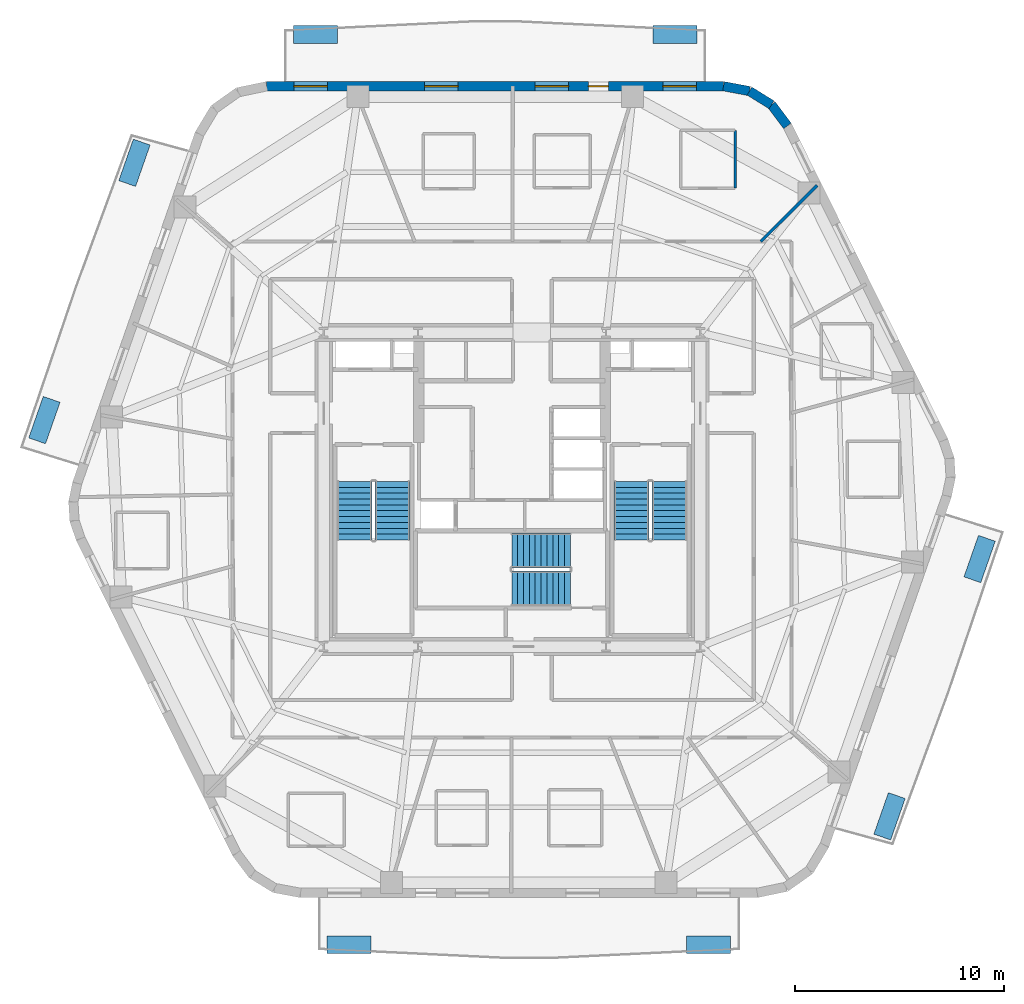
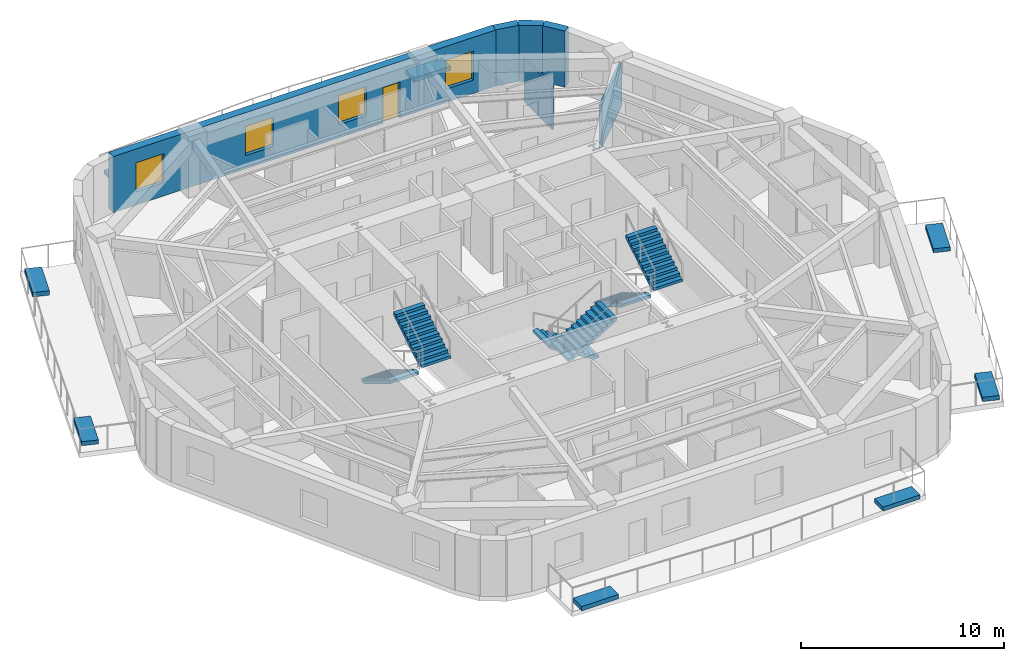
# One storey, part 7 of 11: 8 discrete accessories, 6 stair flights, 6 walls, 4 windows, 1 door, 5 openings, 3 elements without a shape of their own.
"""IFC4 building model written with IfcOpenShell, lengths in metres."""

from ifc_helpers import new_model, si_unit, direction, frame, frame_2d, origin, origin_2d, place, context, subcontext, project, spatial, polyline, rectangle, outline, extrude, material, layer, layer_set, type_object, element, fill, aggregate, save


model = new_model("IFC4")

# Units and contexts
model_context = context("Model", 3, precision=1e-05, world=origin(), true_north=direction((0.0, 1.0)))
body_context = subcontext(model_context, "Body", "Model", "MODEL_VIEW")
ifc_project = project(units=[si_unit("LENGTHUNIT", "METRE"), si_unit("AREAUNIT", "SQUARE_METRE"), si_unit("VOLUMEUNIT", "CUBIC_METRE"), si_unit("PLANEANGLEUNIT", "RADIAN"), si_unit("MASSUNIT", "GRAM", prefix="KILO")], contexts=[model_context])

# Site, building, storey
site_placement = place(None, origin())
site = spatial("IfcSite", under=ifc_project, at=site_placement, CompositionType="ELEMENT")
building_placement = place(site_placement, origin())
building = spatial("IfcBuilding", under=site, at=building_placement, Name="Kilnhurst Terrace Hotel", CompositionType="ELEMENT")
storey_placement = place(building_placement, frame((0.0, 0.0, 166.5)))
storey = spatial("IfcBuildingStorey", under=building, at=storey_placement, Name="L41", CompositionType="ELEMENT", Elevation=166.5)

# Walls
ifc_material_1 = material(Name="Precast concrete C40/50", Category="concrete")
ifc_layer_1 = layer(ifc_material_1, 0.449951171875, Name="Precast concrete C40/50")
ifc_layer_set_1 = layer_set([ifc_layer_1], Name="Precast concrete C40/50")
wall_type_1 = type_object("IfcWallType", Name="WL-BRK-450", PredefinedType="SOLIDWALL", material=ifc_layer_set_1)
wall_1_placement = place(storey_placement, frame((13.162353515625, 17.380615234375, 0.0), z_axis=(0.0, 0.0, 1.0), x_axis=(-0.601515770517, 0.798860925205, 0.0)))
element("IfcWall", 1, at=wall_1_placement, inside=storey, type_object=wall_type_1, Name="L41 Rounded Corner Brick Wall C4.1", PredefinedType="SOLIDWALL", context=body_context, shape_type="SweptSolid", body=[
    extrude(rectangle(XDim=1.261962890625, YDim=0.449951171875, at=frame_2d((0.630859375, 0.0))), origin(), (0.0, 0.0, 1.0), 3.3798828125),
])
wall_2_placement = place(storey_placement, frame((12.4033203125, 18.388671875, 0.0), z_axis=(0.0, 0.0, 1.0), x_axis=(-0.849795170926, 0.527113049991, 0.0)))
element("IfcWall", 2, at=wall_2_placement, inside=storey, type_object=wall_type_1, Name="L41 Rounded Corner Brick Wall C4.2", PredefinedType="SOLIDWALL", context=body_context, shape_type="SweptSolid", body=[
    extrude(rectangle(XDim=1.24072265625, YDim=0.449951171875, at=frame_2d((0.620361328125, 0.0))), origin(), (0.0, 0.0, 1.0), 3.3798828125),
])
wall_3_placement = place(storey_placement, frame((11.348876953125, 19.042724609375, 0.0), z_axis=(0.0, 0.0, 1.0), x_axis=(-0.982931267051, 0.183973161772, 0.0)))
element("IfcWall", 3, at=wall_3_placement, inside=storey, type_object=wall_type_1, Name="L41 Rounded Corner Brick Wall C4.3", PredefinedType="SOLIDWALL", context=body_context, shape_type="SweptSolid", body=[
    extrude(rectangle(XDim=1.261962890625, YDim=0.449951171875, at=frame_2d((0.630859375, 0.0))), origin(), (0.0, 0.0, 1.0), 3.3798828125),
])

# Wall, openings, door, windows
wall_4_placement = place(storey_placement, frame((10.1083984375, 19.27490234375, 0.0), z_axis=(0.0, 0.0, 1.0), x_axis=(-1.0, 0.0, 0.0)))
wall_4 = element("IfcWall", 4, at=wall_4_placement, inside=storey, type_object=wall_type_1, Name="L41 Exterior Brick Facade Wall F4", PredefinedType="SOLIDWALL", context=body_context, shape_type="SweptSolid", body=[
    extrude(rectangle(XDim=21.828857421875, YDim=0.449951171875, at=frame_2d((10.91455078125, 0.0))), origin(), (0.0, 0.0, 1.0), 3.3798828125),
])
opening_1_placement = place(wall_4_placement, frame((5.5029296875, 0.0, 0.0)))
opening_1 = element("IfcOpeningElement", 5, at=opening_1_placement, cuts=wall_4, Name="Opening BD-950", PredefinedType="OPENING", context=body_context, shape_type="SweptSolid", body=[
    extrude(rectangle(XDim=0.949951171875, YDim=2.14990234375, at=frame_2d((0.47509765625, 1.074951171875))), frame((0.0, 0.23486328125, 0.0), z_axis=(0.0, -1.0, 0.0), x_axis=(1.0, 0.0, 0.0)), (0.0, 0.0, 1.0), 0.469970703125),
])
opening_2_placement = place(wall_4_placement, frame((1.297119140625, 0.0, 0.800048828125)))
opening_2 = element("IfcOpeningElement", 6, at=opening_2_placement, cuts=wall_4, Name="Opening W-05", PredefinedType="OPENING", context=body_context, shape_type="SweptSolid", body=[
    extrude(rectangle(XDim=1.60009765625, YDim=1.75, at=frame_2d((0.800048828125, 0.875))), frame((0.0, 0.23486328125, 0.0), z_axis=(0.0, -1.0, 0.0), x_axis=(1.0, 0.0, 0.0)), (0.0, 0.0, 1.0), 0.469970703125),
])
opening_3_placement = place(wall_4_placement, frame((7.402099609375, 0.0, 0.800048828125)))
opening_3 = element("IfcOpeningElement", 7, at=opening_3_placement, cuts=wall_4, Name="Opening W-05", PredefinedType="OPENING", context=body_context, shape_type="SweptSolid", body=[
    extrude(rectangle(XDim=1.60009765625, YDim=1.75, at=frame_2d((0.800048828125, 0.875))), frame((0.0, 0.23486328125, 0.0), z_axis=(0.0, -1.0, 0.0), x_axis=(1.0, 0.0, 0.0)), (0.0, 0.0, 1.0), 0.469970703125),
])
opening_4_placement = place(wall_4_placement, frame((12.68408203125, 0.0, 0.800048828125)))
opening_4 = element("IfcOpeningElement", 8, at=opening_4_placement, cuts=wall_4, Name="Opening W-05", PredefinedType="OPENING", context=body_context, shape_type="SweptSolid", body=[
    extrude(rectangle(XDim=1.60009765625, YDim=1.75, at=frame_2d((0.800048828125, 0.875))), frame((0.0, 0.23486328125, 0.0), z_axis=(0.0, -1.0, 0.0), x_axis=(1.0, 0.0, 0.0)), (0.0, 0.0, 1.0), 0.469970703125),
])
opening_5_placement = place(wall_4_placement, frame((18.93310546875, 0.0, 0.800048828125)))
opening_5 = element("IfcOpeningElement", 9, at=opening_5_placement, cuts=wall_4, Name="Opening W-05", PredefinedType="OPENING", context=body_context, shape_type="SweptSolid", body=[
    extrude(rectangle(XDim=1.60009765625, YDim=1.75, at=frame_2d((0.800048828125, 0.875))), frame((0.0, 0.23486328125, 0.0), z_axis=(0.0, -1.0, 0.0), x_axis=(1.0, 0.0, 0.0)), (0.0, 0.0, 1.0), 0.469970703125),
])
ifc_material_2 = material(Name="Thermally Broken Bronze Aluminium Alloy 6063-T6 and Laminated Glass", Category="aluminium")
door_type = type_object("IfcDoorType", Name="DR-EXT-BAL-950", OperationType="NOTDEFINED", PredefinedType="DOOR", material=ifc_material_2)
door_placement = place(opening_1_placement, origin())
door = element("IfcDoor", 10, at=door_placement, inside=storey, type_object=door_type, Name="L41 Planted Balcony Door BAL-L2A", OperationType="SINGLE_SWING_RIGHT", OverallHeight=2.14990234375, OverallWidth=0.949951171875, PredefinedType="DOOR", context=body_context, shape_type="SweptSolid", body=[
    extrude(rectangle(XDim=0.949951171875, YDim=2.14990234375, at=frame_2d((0.47509765625, 1.074951171875))), frame((0.0, 0.02490234375, 0.0), z_axis=(0.0, -1.0, 0.0), x_axis=(1.0, 0.0, 0.0)), (0.0, 0.0, 1.0), 0.050048828125),
])
fill(opening_1, door)
ifc_material_3 = material(Name="Thermally Broken Bronze Aluminium Alloy 6063-T6 and Low-E Glass", Category="aluminium")
window_type = type_object("IfcWindowType", Name="WIN-1600X1750", PartitioningType="SINGLE_PANEL", PredefinedType="WINDOW", material=ifc_material_3)
window_1_placement = place(opening_2_placement, origin())
window_1 = element("IfcWindow", 11, at=window_1_placement, inside=storey, type_object=window_type, Name="L41 Deep-Set Masonry Window F4.1", OverallHeight=1.75, OverallWidth=1.60009765625, PartitioningType="SINGLE_PANEL", PredefinedType="WINDOW", context=body_context, shape_type="SweptSolid", body=[
    extrude(rectangle(XDim=1.60009765625, YDim=1.75, at=frame_2d((0.800048828125, 0.875))), frame((0.0, 0.030029296875, 0.0), z_axis=(0.0, -1.0, 0.0), x_axis=(1.0, 0.0, 0.0)), (0.0, 0.0, 1.0), 0.06005859375),
])
fill(opening_2, window_1)
window_2_placement = place(opening_3_placement, origin())
window_2 = element("IfcWindow", 12, at=window_2_placement, inside=storey, type_object=window_type, Name="L41 Deep-Set Masonry Window F4.2", OverallHeight=1.75, OverallWidth=1.60009765625, PartitioningType="SINGLE_PANEL", PredefinedType="WINDOW", context=body_context, shape_type="SweptSolid", body=[
    extrude(rectangle(XDim=1.60009765625, YDim=1.75, at=frame_2d((0.800048828125, 0.875))), frame((0.0, 0.030029296875, 0.0), z_axis=(0.0, -1.0, 0.0), x_axis=(1.0, 0.0, 0.0)), (0.0, 0.0, 1.0), 0.06005859375),
])
fill(opening_3, window_2)
window_3_placement = place(opening_4_placement, origin())
window_3 = element("IfcWindow", 13, at=window_3_placement, inside=storey, type_object=window_type, Name="L41 Deep-Set Masonry Window F4.3", OverallHeight=1.75, OverallWidth=1.60009765625, PartitioningType="SINGLE_PANEL", PredefinedType="WINDOW", context=body_context, shape_type="SweptSolid", body=[
    extrude(rectangle(XDim=1.60009765625, YDim=1.75, at=frame_2d((0.800048828125, 0.875))), frame((0.0, 0.030029296875, 0.0), z_axis=(0.0, -1.0, 0.0), x_axis=(1.0, 0.0, 0.0)), (0.0, 0.0, 1.0), 0.06005859375),
])
fill(opening_4, window_3)
window_4_placement = place(opening_5_placement, origin())
window_4 = element("IfcWindow", 14, at=window_4_placement, inside=storey, type_object=window_type, Name="L41 Deep-Set Masonry Window F4.4", OverallHeight=1.75, OverallWidth=1.60009765625, PartitioningType="SINGLE_PANEL", PredefinedType="WINDOW", context=body_context, shape_type="SweptSolid", body=[
    extrude(rectangle(XDim=1.60009765625, YDim=1.75, at=frame_2d((0.800048828125, 0.875))), frame((0.0, 0.030029296875, 0.0), z_axis=(0.0, -1.0, 0.0), x_axis=(1.0, 0.0, 0.0)), (0.0, 0.0, 1.0), 0.06005859375),
])
fill(opening_5, window_4)

# Walls
ifc_material_4 = material(Name="STC-58 Acoustic Twin-Frame Guestroom Demising Partition")
ifc_layer_2 = layer(ifc_material_4, 0.14990234375, Name="STC-58 Acoustic Twin-Frame Guestroom Demising Partition")
ifc_layer_set_2 = layer_set([ifc_layer_2], Name="STC-58 Acoustic Twin-Frame Guestroom Demising Partition")
wall_type_2 = type_object("IfcWallType", Name="WL-DEM-150", PredefinedType="PARTITIONING", material=ifc_layer_set_2)
wall_5_placement = place(storey_placement, frame((11.8818359375, 11.85009765625, 0.0), z_axis=(0.0, 0.0, 1.0), x_axis=(0.708037373639, 0.706174962407, 0.0)))
element("IfcWall", 15, at=wall_5_placement, inside=storey, type_object=wall_type_2, Name="L41 Interior Wall WL-L41-DEM-COL02-03-1", PredefinedType="PARTITIONING", context=body_context, shape_type="SweptSolid", body=[
    extrude(rectangle(XDim=3.801513671875, YDim=0.14990234375, at=frame_2d((1.90087890625, 0.0))), origin(), (0.0, 0.0, 1.0), 2.6201171875),
])
ifc_material_5 = material(Name="120 mm Moisture-Resistant Tile-Backed Bathroom Partition")
ifc_layer_3 = layer(ifc_material_5, 0.1201171875, Name="120 mm Moisture-Resistant Tile-Backed Bathroom Partition")
ifc_layer_set_3 = layer_set([ifc_layer_3], Name="120 mm Moisture-Resistant Tile-Backed Bathroom Partition")
wall_type_3 = type_object("IfcWallType", Name="WL-PART-120", PredefinedType="PARTITIONING", material=ifc_layer_set_3)
wall_6_placement = place(storey_placement, frame((10.657958984375, 14.410888671875, 0.0), z_axis=(0.0, 0.0, 1.0), x_axis=(0.0, 1.0, 0.0)))
element("IfcWall", 16, at=wall_6_placement, inside=storey, type_object=wall_type_3, Name="L41 Interior Wall WL-L41-BTH-03-2", PredefinedType="PARTITIONING", context=body_context, shape_type="SweptSolid", body=[
    extrude(rectangle(XDim=2.75, YDim=0.1201171875, at=frame_2d((1.375, 0.0))), origin(), (0.0, 0.0, 1.0), 2.6201171875),
])

# Stair, stair flights
ifc_material_6 = material(Name="Concrete C50/60", Category="concrete")
stair_type = type_object("IfcStairType", Name="STR-CORE-1660", PredefinedType="HALF_TURN_STAIR", material=ifc_material_6)
stair_1_placement = place(storey_placement, origin())
stair_1 = element("IfcStair", 17, at=stair_1_placement, inside=storey, type_object=stair_type, Name="L41 ST-1", PredefinedType="HALF_TURN_STAIR")
stair_flight_type = type_object("IfcStairFlightType", Name="FLT-RC-1660", PredefinedType="STRAIGHT", material=ifc_material_6)
stair_flight_1_placement = place(storey_placement, frame((-7.52001953125, 0.389892578125, 0.0), z_axis=(0.0, 0.0, 1.0), x_axis=(0.0, -1.0, 0.0)))
stair_flight_1 = element("IfcStairFlight", 18, at=stair_flight_1_placement, type_object=stair_flight_type, Name="ST-1 flight 1", NumberOfRisers=11, NumberOfTreads=10, PredefinedType="STRAIGHT", RiserHeight=0.168181818, TreadLength=0.28, context=body_context, shape_type="SweptSolid", body=[
    extrude(outline(polyline([(0.0, 0.0), (0.0, 0.168212890625), (0.280029296875, 0.168212890625), (0.280029296875, 0.33642578125), (0.56005859375, 0.33642578125), (0.56005859375, 0.504638671875), (0.840087890625, 0.504638671875), (0.840087890625, 0.672607421875), (1.1201171875, 0.672607421875), (1.1201171875, 0.8408203125), (1.39990234375, 0.8408203125), (1.39990234375, 1.009033203125), (1.679931640625, 1.009033203125), (1.679931640625, 1.17724609375), (1.9599609375, 1.17724609375), (1.9599609375, 1.345458984375), (2.239990234375, 1.345458984375), (2.239990234375, 1.513671875), (2.52001953125, 1.513671875), (2.52001953125, 1.681884765625), (2.800048828125, 1.681884765625), (2.800048828125, 1.85009765625), (2.800048828125, 1.5068359375), (0.291015625, 0.0), (0.0, 0.0)])), frame((0.0, 0.830078125, 0.0), z_axis=(0.0, -1.0, 0.0), x_axis=(1.0, 0.0, 0.0)), (0.0, 0.0, 1.0), 1.659912109375),
])
stair_flight_2_placement = place(storey_placement, frame((-5.7099609375, -2.409912109375, 1.85009765625), z_axis=(0.0, 0.0, 1.0), x_axis=(0.0, 1.0, 0.0)))
stair_flight_2 = element("IfcStairFlight", 19, at=stair_flight_2_placement, type_object=stair_flight_type, Name="ST-1 flight 2", NumberOfRisers=11, NumberOfTreads=10, PredefinedType="STRAIGHT", RiserHeight=0.168181818, TreadLength=0.28, context=body_context, shape_type="SweptSolid", body=[
    extrude(outline(polyline([(0.0, 0.0), (0.0, 0.168212890625), (0.280029296875, 0.168212890625), (0.280029296875, 0.33642578125), (0.56005859375, 0.33642578125), (0.56005859375, 0.504638671875), (0.840087890625, 0.504638671875), (0.840087890625, 0.672607421875), (1.1201171875, 0.672607421875), (1.1201171875, 0.8408203125), (1.39990234375, 0.8408203125), (1.39990234375, 1.009033203125), (1.679931640625, 1.009033203125), (1.679931640625, 1.17724609375), (1.9599609375, 1.17724609375), (1.9599609375, 1.345458984375), (2.239990234375, 1.345458984375), (2.239990234375, 1.513671875), (2.52001953125, 1.513671875), (2.52001953125, 1.681884765625), (2.800048828125, 1.681884765625), (2.800048828125, 1.85009765625), (2.800048828125, 1.5068359375), (0.291015625, 0.0), (0.0, 0.0)])), frame((0.0, 0.830078125, 0.0), z_axis=(0.0, -1.0, 0.0), x_axis=(1.0, 0.0, 0.0)), (0.0, 0.0, 1.0), 1.659912109375),
])
aggregate(stair_1, [stair_flight_1, stair_flight_2])

stair_2_placement = place(storey_placement, origin())
stair_2 = element("IfcStair", 20, at=stair_2_placement, inside=storey, type_object=stair_type, Name="L41 ST-2", PredefinedType="HALF_TURN_STAIR")
stair_flight_3_placement = place(storey_placement, frame((5.7099609375, 0.389892578125, 0.0), z_axis=(0.0, 0.0, 1.0), x_axis=(0.0, -1.0, 0.0)))
stair_flight_3 = element("IfcStairFlight", 21, at=stair_flight_3_placement, type_object=stair_flight_type, Name="ST-2 flight 1", NumberOfRisers=11, NumberOfTreads=10, PredefinedType="STRAIGHT", RiserHeight=0.168181818, TreadLength=0.28, context=body_context, shape_type="SweptSolid", body=[
    extrude(outline(polyline([(0.0, 0.0), (0.0, 0.168212890625), (0.280029296875, 0.168212890625), (0.280029296875, 0.33642578125), (0.56005859375, 0.33642578125), (0.56005859375, 0.504638671875), (0.840087890625, 0.504638671875), (0.840087890625, 0.672607421875), (1.1201171875, 0.672607421875), (1.1201171875, 0.8408203125), (1.39990234375, 0.8408203125), (1.39990234375, 1.009033203125), (1.679931640625, 1.009033203125), (1.679931640625, 1.17724609375), (1.9599609375, 1.17724609375), (1.9599609375, 1.345458984375), (2.239990234375, 1.345458984375), (2.239990234375, 1.513671875), (2.52001953125, 1.513671875), (2.52001953125, 1.681884765625), (2.800048828125, 1.681884765625), (2.800048828125, 1.85009765625), (2.800048828125, 1.5068359375), (0.291015625, 0.0), (0.0, 0.0)])), frame((0.0, 0.830078125, 0.0), z_axis=(0.0, -1.0, 0.0), x_axis=(1.0, 0.0, 0.0)), (0.0, 0.0, 1.0), 1.659912109375),
])
stair_flight_4_placement = place(storey_placement, frame((7.52001953125, -2.409912109375, 1.85009765625), z_axis=(0.0, 0.0, 1.0), x_axis=(0.0, 1.0, 0.0)))
stair_flight_4 = element("IfcStairFlight", 22, at=stair_flight_4_placement, type_object=stair_flight_type, Name="ST-2 flight 2", NumberOfRisers=11, NumberOfTreads=10, PredefinedType="STRAIGHT", RiserHeight=0.168181818, TreadLength=0.28, context=body_context, shape_type="SweptSolid", body=[
    extrude(outline(polyline([(0.0, 0.0), (0.0, 0.168212890625), (0.280029296875, 0.168212890625), (0.280029296875, 0.33642578125), (0.56005859375, 0.33642578125), (0.56005859375, 0.504638671875), (0.840087890625, 0.504638671875), (0.840087890625, 0.672607421875), (1.1201171875, 0.672607421875), (1.1201171875, 0.8408203125), (1.39990234375, 0.8408203125), (1.39990234375, 1.009033203125), (1.679931640625, 1.009033203125), (1.679931640625, 1.17724609375), (1.9599609375, 1.17724609375), (1.9599609375, 1.345458984375), (2.239990234375, 1.345458984375), (2.239990234375, 1.513671875), (2.52001953125, 1.513671875), (2.52001953125, 1.681884765625), (2.800048828125, 1.681884765625), (2.800048828125, 1.85009765625), (2.800048828125, 1.5068359375), (0.291015625, 0.0), (0.0, 0.0)])), frame((0.0, 0.830078125, 0.0), z_axis=(0.0, -1.0, 0.0), x_axis=(1.0, 0.0, 0.0)), (0.0, 0.0, 1.0), 1.659912109375),
])
aggregate(stair_2, [stair_flight_3, stair_flight_4])

stair_3_placement = place(storey_placement, origin())
stair_3 = element("IfcStair", 23, at=stair_3_placement, inside=storey, type_object=stair_type, Name="L41 ST-3", PredefinedType="HALF_TURN_STAIR")
stair_flight_5_placement = place(storey_placement, frame((2.7900390625, -2.909912109375, 0.0), z_axis=(0.0, 0.0, 1.0), x_axis=(-1.0, 0.0, 0.0)))
stair_flight_5 = element("IfcStairFlight", 24, at=stair_flight_5_placement, type_object=stair_flight_type, Name="ST-3 flight 1", NumberOfRisers=11, NumberOfTreads=10, PredefinedType="STRAIGHT", RiserHeight=0.168181818, TreadLength=0.28, context=body_context, shape_type="SweptSolid", body=[
    extrude(outline(polyline([(0.0, 0.0), (0.0, 0.168212890625), (0.280029296875, 0.168212890625), (0.280029296875, 0.33642578125), (0.56005859375, 0.33642578125), (0.56005859375, 0.504638671875), (0.840087890625, 0.504638671875), (0.840087890625, 0.672607421875), (1.1201171875, 0.672607421875), (1.1201171875, 0.8408203125), (1.39990234375, 0.8408203125), (1.39990234375, 1.009033203125), (1.679931640625, 1.009033203125), (1.679931640625, 1.17724609375), (1.9599609375, 1.17724609375), (1.9599609375, 1.345458984375), (2.239990234375, 1.345458984375), (2.239990234375, 1.513671875), (2.52001953125, 1.513671875), (2.52001953125, 1.681884765625), (2.800048828125, 1.681884765625), (2.800048828125, 1.85009765625), (2.800048828125, 1.5068359375), (0.291015625, 0.0), (0.0, 0.0)])), frame((0.0, 0.830078125, 0.0), z_axis=(0.0, -1.0, 0.0), x_axis=(1.0, 0.0, 0.0)), (0.0, 0.0, 1.0), 1.659912109375),
])
stair_flight_6_placement = place(storey_placement, frame((-0.010009765625, -4.719970703125, 1.85009765625), z_axis=(0.0, 0.0, 1.0), x_axis=(1.0, 0.0, 0.0)))
stair_flight_6 = element("IfcStairFlight", 25, at=stair_flight_6_placement, type_object=stair_flight_type, Name="ST-3 flight 2", NumberOfRisers=11, NumberOfTreads=10, PredefinedType="STRAIGHT", RiserHeight=0.168181818, TreadLength=0.28, context=body_context, shape_type="SweptSolid", body=[
    extrude(outline(polyline([(0.0, 0.0), (0.0, 0.168212890625), (0.280029296875, 0.168212890625), (0.280029296875, 0.33642578125), (0.56005859375, 0.33642578125), (0.56005859375, 0.504638671875), (0.840087890625, 0.504638671875), (0.840087890625, 0.672607421875), (1.1201171875, 0.672607421875), (1.1201171875, 0.8408203125), (1.39990234375, 0.8408203125), (1.39990234375, 1.009033203125), (1.679931640625, 1.009033203125), (1.679931640625, 1.17724609375), (1.9599609375, 1.17724609375), (1.9599609375, 1.345458984375), (2.239990234375, 1.345458984375), (2.239990234375, 1.513671875), (2.52001953125, 1.513671875), (2.52001953125, 1.681884765625), (2.800048828125, 1.681884765625), (2.800048828125, 1.85009765625), (2.800048828125, 1.5068359375), (0.291015625, 0.0), (0.0, 0.0)])), frame((0.0, 0.830078125, 0.0), z_axis=(0.0, -1.0, 0.0), x_axis=(1.0, 0.0, 0.0)), (0.0, 0.0, 1.0), 1.659912109375),
])
aggregate(stair_3, [stair_flight_5, stair_flight_6])

# Discrete accessories
ifc_material_7 = material(Name="Precast Concrete C40/50 Shrub Planter", Category="concrete")
discrete_accessory_type_1 = type_object("IfcDiscreteAccessoryType", Name="PLN-SHRUB-240", PredefinedType="USERDEFINED", material=ifc_material_7)
for number, where, z_axis, x_axis, name in (
    (26, (9.3935546875, -21.75, 0.0), (0.0, 0.0, 1.0), (1.0, 0.0, 0.0), "L41 Structural Tree Planter Box PLANTER BAL-L1A.2"),
    (27, (22.34619140625, -3.319580078125, 0.0), (0.0, 0.0, 1.0), (0.330432029284, 0.943829790811, 0.0), "L41 Structural Tree Planter Box PLANTER BAL-L1B.2"),
    (28, (-9.3935546875, 21.75, 0.0), (0.0, 0.0, 1.0), (-1.0, 0.0, 0.0), "L41 Structural Tree Planter Box PLANTER BAL-L2A.2"),
    (29, (-22.34619140625, 3.319580078125, 0.0), (0.0, 0.0, 1.0), (-0.330432029284, -0.943829790811, 0.0), "L41 Structural Tree Planter Box PLANTER BAL-L2B.2"),
):
    element("IfcDiscreteAccessory", number, at=place(storey_placement, frame(where, z_axis=z_axis, x_axis=x_axis)), inside=storey, type_object=discrete_accessory_type_1, Name=name, ObjectType="PLANTER", PredefinedType="USERDEFINED", context=body_context, shape_type="SweptSolid", body=[
        extrude(rectangle(XDim=2.10009765625, YDim=0.85009765625, at=origin_2d()), origin(), (0.0, 0.0, 1.0), 0.239990234375),
    ])
ifc_material_8 = material(Name="Precast Concrete C40/50 Tree Planter", Category="concrete")
discrete_accessory_type_2 = type_object("IfcDiscreteAccessoryType", Name="PLN-TREE-260", PredefinedType="USERDEFINED", material=ifc_material_8)
for number, where, z_axis, x_axis, name in (
    (30, (-7.779296875, -21.75, 0.0), (0.0, 0.0, 1.0), (1.0, 0.0, 0.0), "L41 Structural Tree Planter Box PLANTER BAL-L1A.1"),
    (31, (18.04150390625, -15.614990234375, 0.0), (0.0, 0.0, 1.0), (0.330432029284, 0.943829790811, 0.0), "L41 Structural Tree Planter Box PLANTER BAL-L1B.1"),
    (32, (7.779296875, 21.75, 0.0), (0.0, 0.0, 1.0), (-1.0, 0.0, 0.0), "L41 Structural Tree Planter Box PLANTER BAL-L2A.1"),
    (33, (-18.04150390625, 15.614990234375, 0.0), (0.0, 0.0, 1.0), (-0.330432029284, -0.943829790811, 0.0), "L41 Structural Tree Planter Box PLANTER BAL-L2B.1"),
):
    element("IfcDiscreteAccessory", number, at=place(storey_placement, frame(where, z_axis=z_axis, x_axis=x_axis)), inside=storey, type_object=discrete_accessory_type_2, Name=name, ObjectType="PLANTER", PredefinedType="USERDEFINED", context=body_context, shape_type="SweptSolid", body=[
        extrude(rectangle(XDim=2.10009765625, YDim=0.85009765625, at=origin_2d()), origin(), (0.0, 0.0, 1.0), 0.260009765625),
    ])

save(model, "model.ifc")
